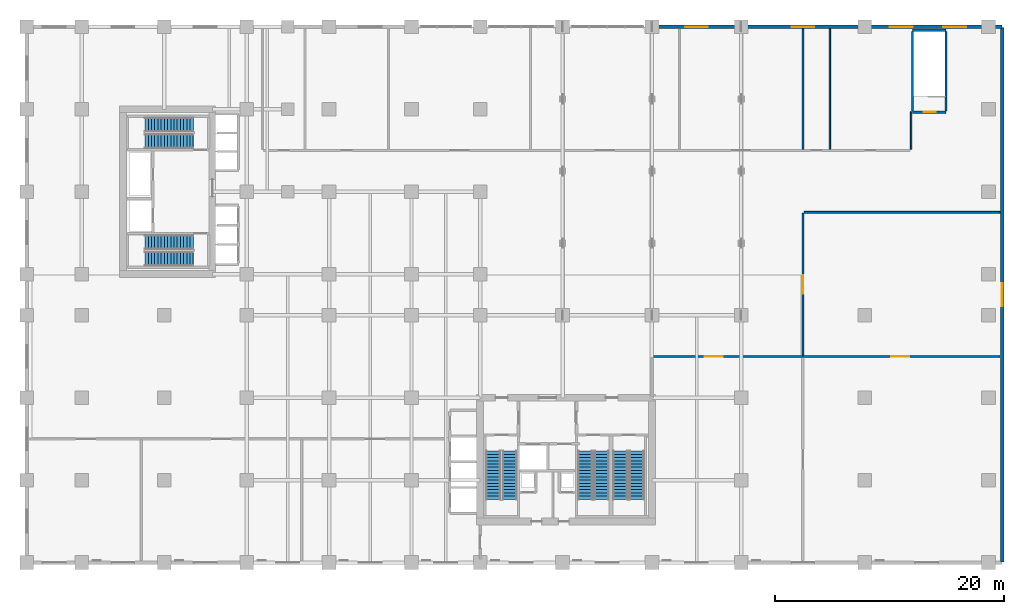
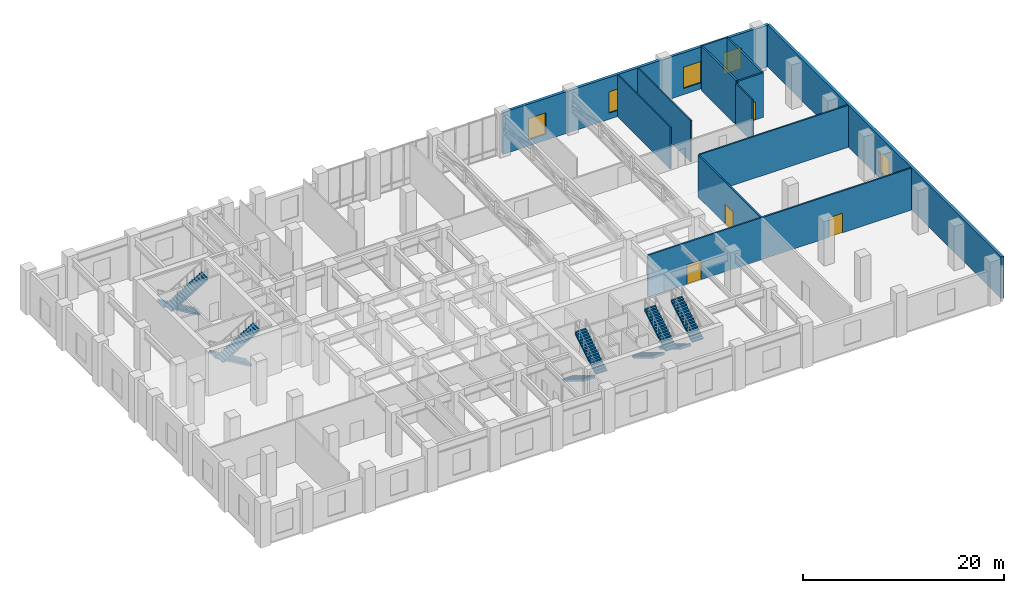
# One storey, part 14 of 19: 12 walls, 10 stair flights, 5 windows, 4 doors, 9 openings, 5 elements without a shape of their own.
"""IFC4 building model written with IfcOpenShell, lengths in metres."""

from ifc_helpers import new_model, si_unit, derived_unit, direction, frame, frame_2d, origin, place, context, subcontext, project, spatial, polyline, rectangle, outline, extrude, source, transform, mapped, material, layer, layer_set, type_object, type_shapes, element, fill, aggregate, save


model = new_model("IFC4")

# Units and contexts
model_context = context("Model", 3, precision=1e-05, world=origin(), true_north=direction((0.0, 1.0)))
body_context = subcontext(model_context, "Body", "Model", "MODEL_VIEW")
ifc_project = project(units=[si_unit("LENGTHUNIT", "METRE"), si_unit("AREAUNIT", "SQUARE_METRE"), si_unit("VOLUMEUNIT", "CUBIC_METRE"), si_unit("PLANEANGLEUNIT", "RADIAN"), si_unit("MASSUNIT", "GRAM", prefix="KILO"), si_unit("THERMODYNAMICTEMPERATUREUNIT", "KELVIN"), si_unit("POWERUNIT", "WATT"), derived_unit("THERMALTRANSMITTANCEUNIT", [(si_unit("POWERUNIT", "WATT"), 1), (si_unit("AREAUNIT", "SQUARE_METRE"), -1), (si_unit("THERMODYNAMICTEMPERATUREUNIT", "KELVIN"), -1)])], contexts=[model_context])

# Site, building, storey
site_placement = place(None, origin())
site = spatial("IfcSite", under=ifc_project, at=site_placement, CompositionType="ELEMENT")
building_placement = place(site_placement, origin())
building = spatial("IfcBuilding", under=site, at=building_placement, Name="Zahravan Archway Hotel and Residences", CompositionType="ELEMENT")
storey_placement = place(building_placement, frame((0.0, 0.0, 21.60009765625)))
storey = spatial("IfcBuildingStorey", under=building, at=storey_placement, Name="L04", CompositionType="ELEMENT", Elevation=21.60009765625)

# Wall, opening, window
ifc_material_1 = material(Name="Agra Buff Sandstone & Insulated Backup", Category="masonry")
ifc_layer_1 = layer(ifc_material_1, 0.320068359375, Name="Agra Buff Sandstone & Insulated Backup", Category="masonry")
ifc_layer_set_1 = layer_set([ifc_layer_1], Name="Agra Buff Sandstone & Insulated Backup")
wall_type_1 = type_object("IfcWallType", Name="EW-SAND-320", PredefinedType="SOLIDWALL", material=ifc_layer_set_1)
wall_1_placement = place(storey_placement, frame((80.39990234375, 0.050048828125, 0.0), z_axis=(0.0, 0.0, 1.0), x_axis=(0.0, 1.0, 0.0)))
wall_1 = element("IfcWall", 1, at=wall_1_placement, inside=storey, type_object=wall_type_1, Name="L04 Podium Sandstone E Wall", PredefinedType="SOLIDWALL", context=body_context, shape_type="SweptSolid", body=[
    extrude(rectangle(XDim=46.699951171875, YDim=0.320068359375, at=frame_2d((23.35009765625, 0.0))), origin(), (0.0, 0.0, 1.0), 5.099853515625),
])
opening_1_placement = place(wall_1_placement, frame((22.35009765625, 0.0, 0.75)))
opening_1 = element("IfcOpeningElement", 2, at=opening_1_placement, cuts=wall_1, Name="Opening W-01", PredefinedType="OPENING", context=body_context, shape_type="SweptSolid", body=[
    extrude(rectangle(XDim=2.0, YDim=2.60009765625, at=frame_2d((1.0, 1.300048828125))), frame((0.0, 0.169921875, 0.0), z_axis=(0.0, -1.0, 0.0), x_axis=(1.0, 0.0, 0.0)), (0.0, 0.0, 1.0), 0.340087890625),
])
ifc_material_2 = material(Name="Bronze-Anodized Thermal-Break Aluminium & Low-E Glass", Category="aluminium")
window_type = type_object("IfcWindowType", Name="WIN-ARC-2000", PartitioningType="DOUBLE_PANEL_VERTICAL", PredefinedType="WINDOW", material=ifc_material_2)
shared_shape_1 = source(origin(), body_context, "Body", "SweptSolid", [
    extrude(rectangle(XDim=2.0, YDim=2.60009765625, at=frame_2d((1.0, 1.300048828125))), frame((0.0, 0.030029296875, 0.0), z_axis=(0.0, -1.0, 0.0), x_axis=(1.0, 0.0, 0.0)), (0.0, 0.0, 1.0), 0.06005859375),
])
type_shapes(window_type, [shared_shape_1])
window_1_placement = place(opening_1_placement, origin())
window_1 = element("IfcWindow", 3, at=window_1_placement, inside=storey, type_object=window_type, Name="L04 Podium Mughal Arch Window 12", OverallHeight=2.60009765625, OverallWidth=2.0, PartitioningType="DOUBLE_PANEL_VERTICAL", PredefinedType="WINDOW", context=body_context, shape_type="MappedRepresentation", body=[
    mapped(shared_shape_1, transform((0.0, 0.0, 0.0), scale=1.0)),
])
fill(opening_1, window_1)

# Wall, openings, windows
wall_2_placement = place(storey_placement, frame((49.800048828125, 46.800048828125, 0.0), z_axis=(0.0, 0.0, 1.0), x_axis=(1.0, 0.0, 0.0)))
wall_2 = element("IfcWall", 4, at=wall_2_placement, inside=storey, type_object=wall_type_1, Name="L04 Podium Sandstone NE Wall", PredefinedType="SOLIDWALL", context=body_context, shape_type="SweptSolid", body=[
    extrude(rectangle(XDim=30.599853515625, YDim=0.320068359375, at=frame_2d((15.2998046875, 0.0))), origin(), (0.0, 0.0, 1.0), 5.099853515625),
])
opening_2_placement = place(wall_2_placement, frame((2.89990234375, 0.0, 0.75)))
opening_2 = element("IfcOpeningElement", 5, at=opening_2_placement, cuts=wall_2, Name="Opening W-01", PredefinedType="OPENING", context=body_context, shape_type="SweptSolid", body=[
    extrude(rectangle(XDim=2.0, YDim=2.60009765625, at=frame_2d((1.0, 1.300048828125))), frame((0.0, 0.169921875, 0.0), z_axis=(0.0, -1.0, 0.0), x_axis=(1.0, 0.0, 0.0)), (0.0, 0.0, 1.0), 0.340087890625),
])
opening_3_placement = place(wall_2_placement, frame((12.199951171875, 0.0, 0.75)))
opening_3 = element("IfcOpeningElement", 6, at=opening_3_placement, cuts=wall_2, Name="Opening W-01", PredefinedType="OPENING", context=body_context, shape_type="SweptSolid", body=[
    extrude(rectangle(XDim=2.0, YDim=2.60009765625, at=frame_2d((1.0, 1.300048828125))), frame((0.0, 0.169921875, 0.0), z_axis=(0.0, -1.0, 0.0), x_axis=(1.0, 0.0, 0.0)), (0.0, 0.0, 1.0), 0.340087890625),
])
opening_4_placement = place(wall_2_placement, frame((20.784912109375, 0.0, 0.75)))
opening_4 = element("IfcOpeningElement", 7, at=opening_4_placement, cuts=wall_2, Name="Opening W-01", PredefinedType="OPENING", context=body_context, shape_type="SweptSolid", body=[
    extrude(rectangle(XDim=2.0, YDim=2.60009765625, at=frame_2d((1.0, 1.300048828125))), frame((0.0, 0.169921875, 0.0), z_axis=(0.0, -1.0, 0.0), x_axis=(1.0, 0.0, 0.0)), (0.0, 0.0, 1.0), 0.340087890625),
])
opening_5_placement = place(wall_2_placement, frame((25.445068359375, 0.0, 0.75)))
opening_5 = element("IfcOpeningElement", 8, at=opening_5_placement, cuts=wall_2, Name="Opening W-01", PredefinedType="OPENING", context=body_context, shape_type="SweptSolid", body=[
    extrude(rectangle(XDim=2.0, YDim=2.60009765625, at=frame_2d((1.0, 1.300048828125))), frame((0.0, 0.169921875, 0.0), z_axis=(0.0, -1.0, 0.0), x_axis=(1.0, 0.0, 0.0)), (0.0, 0.0, 1.0), 0.340087890625),
])
window_2_placement = place(opening_2_placement, origin())
window_2 = element("IfcWindow", 9, at=window_2_placement, inside=storey, type_object=window_type, Name="L04 Podium Mughal Arch Window 17", OverallHeight=2.60009765625, OverallWidth=2.0, PartitioningType="DOUBLE_PANEL_VERTICAL", PredefinedType="WINDOW", context=body_context, shape_type="MappedRepresentation", body=[
    mapped(shared_shape_1, transform((0.0, 0.0, 0.0), scale=1.0)),
])
fill(opening_2, window_2)
window_3_placement = place(opening_3_placement, origin())
window_3 = element("IfcWindow", 10, at=window_3_placement, inside=storey, type_object=window_type, Name="L04 Podium Mughal Arch Window 18", OverallHeight=2.60009765625, OverallWidth=2.0, PartitioningType="DOUBLE_PANEL_VERTICAL", PredefinedType="WINDOW", context=body_context, shape_type="MappedRepresentation", body=[
    mapped(shared_shape_1, transform((0.0, 0.0, 0.0), scale=1.0)),
])
fill(opening_3, window_3)
window_4_placement = place(opening_4_placement, origin())
window_4 = element("IfcWindow", 11, at=window_4_placement, inside=storey, type_object=window_type, Name="L04 Podium Mughal Arch Window 19", OverallHeight=2.60009765625, OverallWidth=2.0, PartitioningType="DOUBLE_PANEL_VERTICAL", PredefinedType="WINDOW", context=body_context, shape_type="MappedRepresentation", body=[
    mapped(shared_shape_1, transform((0.0, 0.0, 0.0), scale=1.0)),
])
fill(opening_4, window_4)
window_5_placement = place(opening_5_placement, origin())
window_5 = element("IfcWindow", 12, at=window_5_placement, inside=storey, type_object=window_type, Name="L04 Podium Mughal Arch Window 20", OverallHeight=2.60009765625, OverallWidth=2.0, PartitioningType="DOUBLE_PANEL_VERTICAL", PredefinedType="WINDOW", context=body_context, shape_type="MappedRepresentation", body=[
    mapped(shared_shape_1, transform((0.0, 0.0, 0.0), scale=1.0)),
])
fill(opening_5, window_5)

# Wall, openings, doors
ifc_material_3 = material(Name="Fire-Rated Gypsum & Concrete Block", Category="concrete")
ifc_layer_2 = layer(ifc_material_3, 0.179931640625, Name="Fire-Rated Gypsum & Concrete Block", Category="concrete")
ifc_layer_set_2 = layer_set([ifc_layer_2], Name="Fire-Rated Gypsum & Concrete Block")
wall_type_2 = type_object("IfcWallType", Name="PW-CORR-180", PredefinedType="PARTITIONING", material=ifc_layer_set_2)
wall_3_placement = place(storey_placement, frame((49.889892578125, 18.0, 0.0), z_axis=(0.0, 0.0, 1.0), x_axis=(1.0, 0.0, 0.0)))
wall_3 = element("IfcWall", 13, at=wall_3_placement, inside=storey, type_object=wall_type_2, Name="L04 Partition L04-GSE", PredefinedType="PARTITIONING", context=body_context, shape_type="SweptSolid", body=[
    extrude(rectangle(XDim=30.342041015625, YDim=0.179931640625, at=frame_2d((15.1708984375, 0.0))), origin(), (0.0, 0.0, 1.0), 5.099853515625),
])
opening_6_placement = place(wall_3_placement, frame((4.510009765625, 0.0, 0.0)))
opening_6 = element("IfcOpeningElement", 14, at=opening_6_placement, cuts=wall_3, Name="Opening D-P2", PredefinedType="OPENING", context=body_context, shape_type="SweptSolid", body=[
    extrude(rectangle(XDim=1.60009765625, YDim=2.39990234375, at=frame_2d((0.800048828125, 1.199951171875))), frame((0.0, 0.10009765625, 0.0), z_axis=(0.0, -1.0, 0.0), x_axis=(1.0, 0.0, 0.0)), (0.0, 0.0, 1.0), 0.199951171875),
])
opening_7_placement = place(wall_3_placement, frame((20.81005859375, 0.0, 0.0)))
opening_7 = element("IfcOpeningElement", 15, at=opening_7_placement, cuts=wall_3, Name="Opening D-P2", PredefinedType="OPENING", context=body_context, shape_type="SweptSolid", body=[
    extrude(rectangle(XDim=1.60009765625, YDim=2.39990234375, at=frame_2d((0.800048828125, 1.199951171875))), frame((0.0, 0.10009765625, 0.0), z_axis=(0.0, -1.0, 0.0), x_axis=(1.0, 0.0, 0.0)), (0.0, 0.0, 1.0), 0.199951171875),
])
ifc_material_4 = material(Name="Bronze-Anodized Glazed Aluminium", Category="aluminium")
door_type_1 = type_object("IfcDoorType", Name="ID-PUBLIC-1600", OperationType="DOUBLE_DOOR_SINGLE_SWING", PredefinedType="DOOR", material=ifc_material_4)
shared_shape_2 = source(origin(), body_context, "Body", "SweptSolid", [
    extrude(rectangle(XDim=1.60009765625, YDim=2.39990234375, at=frame_2d((0.800048828125, 1.199951171875))), frame((0.0, 0.02490234375, 0.0), z_axis=(0.0, -1.0, 0.0), x_axis=(1.0, 0.0, 0.0)), (0.0, 0.0, 1.0), 0.050048828125),
])
type_shapes(door_type_1, [shared_shape_2])
door_1_placement = place(opening_6_placement, origin())
door_1 = element("IfcDoor", 16, at=door_1_placement, inside=storey, type_object=door_type_1, Name="L04 Ballroom Pre-Function Lobby Door", OperationType="DOUBLE_DOOR_SINGLE_SWING", OverallHeight=2.39990234375, OverallWidth=1.60009765625, PredefinedType="DOOR", context=body_context, shape_type="MappedRepresentation", body=[
    mapped(shared_shape_2, transform((0.0, 0.0, 0.0), scale=1.0)),
])
fill(opening_6, door_1)
door_2_placement = place(opening_7_placement, origin())
door_2 = element("IfcDoor", 17, at=door_2_placement, inside=storey, type_object=door_type_1, Name="L04 Pillarless Grand Ballroom Door", OperationType="DOUBLE_DOOR_SINGLE_SWING", OverallHeight=2.39990234375, OverallWidth=1.60009765625, PredefinedType="DOOR", context=body_context, shape_type="MappedRepresentation", body=[
    mapped(shared_shape_2, transform((0.0, 0.0, 0.0), scale=1.0)),
])
fill(opening_7, door_2)

# Wall, opening, door
ifc_material_5 = material(Name="Acoustic Stud Partition")
ifc_layer_3 = layer(ifc_material_5, 0.169921875, Name="Acoustic Stud Partition")
ifc_layer_set_3 = layer_set([ifc_layer_3], Name="Acoustic Stud Partition")
wall_type_3 = type_object("IfcWallType", Name="PW-UNIT-170", PredefinedType="PARTITIONING", material=ifc_layer_set_3)
wall_4_placement = place(storey_placement, frame((63.0, 18.090087890625, 0.0), z_axis=(0.0, 0.0, 1.0), x_axis=(0.0, 1.0, 0.0)))
wall_4 = element("IfcWall", 18, at=wall_4_placement, inside=storey, type_object=wall_type_3, Name="L04 Partition L04-MJW", PredefinedType="PARTITIONING", context=body_context, shape_type="SweptSolid", body=[
    extrude(rectangle(XDim=12.419921875, YDim=0.169921875, at=frame_2d((6.2099609375, 0.0))), origin(), (0.0, 0.0, 1.0), 5.099853515625),
])
opening_8_placement = place(wall_4_placement, frame((5.409912109375, 0.0, 0.0)))
opening_8 = element("IfcOpeningElement", 19, at=opening_8_placement, cuts=wall_4, Name="Opening D-P2", PredefinedType="OPENING", context=body_context, shape_type="SweptSolid", body=[
    extrude(rectangle(XDim=1.60009765625, YDim=2.39990234375, at=frame_2d((0.800048828125, 1.199951171875))), frame((0.0, 0.094970703125, 0.0), z_axis=(0.0, -1.0, 0.0), x_axis=(1.0, 0.0, 0.0)), (0.0, 0.0, 1.0), 0.18994140625),
])
door_3_placement = place(opening_8_placement, origin())
door_3 = element("IfcDoor", 20, at=door_3_placement, inside=storey, type_object=door_type_1, Name="L04 Sanctuary Majlis Salon Door", OperationType="DOUBLE_DOOR_SINGLE_SWING", OverallHeight=2.39990234375, OverallWidth=1.60009765625, PredefinedType="DOOR", context=body_context, shape_type="MappedRepresentation", body=[
    mapped(shared_shape_2, transform((0.0, 0.0, 0.0), scale=1.0)),
])
fill(opening_8, door_3)

# Walls
wall_5_placement = place(storey_placement, frame((63.090087890625, 30.60009765625, 0.0), z_axis=(0.0, 0.0, 1.0), x_axis=(1.0, 0.0, 0.0)))
element("IfcWall", 21, at=wall_5_placement, inside=storey, type_object=wall_type_3, Name="L04 Partition L04-MJN", PredefinedType="PARTITIONING", context=body_context, shape_type="SweptSolid", body=[
    extrude(rectangle(XDim=17.141845703125, YDim=0.169921875, at=frame_2d((8.57080078125, 0.0))), origin(), (0.0, 0.0, 1.0), 5.099853515625),
])
ifc_material_6 = material(Name="Moisture-Resistant Blockwork", Category="masonry")
ifc_layer_4 = layer(ifc_material_6, 0.139892578125, Name="Moisture-Resistant Blockwork", Category="masonry")
ifc_layer_set_4 = layer_set([ifc_layer_4], Name="Moisture-Resistant Blockwork")
wall_type_4 = type_object("IfcWallType", Name="PW-WET-140", PredefinedType="PARTITIONING", material=ifc_layer_set_4)
wall_6_placement = place(storey_placement, frame((72.449951171875, 36.090087890625, 0.0), z_axis=(0.0, 0.0, 1.0), x_axis=(0.0, 1.0, 0.0)))
element("IfcWall", 22, at=wall_6_placement, inside=storey, type_object=wall_type_4, Name="L04 Partition L04-GNE", PredefinedType="PARTITIONING", context=body_context, shape_type="SweptSolid", body=[
    extrude(rectangle(XDim=3.289794921875, YDim=0.139892578125, at=frame_2d((1.64501953125, 0.0))), origin(), (0.0, 0.0, 1.0), 5.099853515625),
])
for number, where, z_axis, x_axis, name in (
    (23, (63.0, 36.090087890625, 0.0), (0.0, 0.0, 1.0), (0.0, 1.0, 0.0), "L04 Partition L04-NV5"),
    (24, (65.35009765625, 36.090087890625, 0.0), (0.0, 0.0, 1.0), (0.0, 1.0, 0.0), "L04 Partition L04-NV6"),
):
    element("IfcWall", number, at=place(storey_placement, frame(where, z_axis=z_axis, x_axis=x_axis)), inside=storey, type_object=wall_type_4, Name=name, PredefinedType="PARTITIONING", context=body_context, shape_type="SweptSolid", body=[
        extrude(rectangle(XDim=10.5419921875, YDim=0.139892578125, at=frame_2d((5.27099609375, 0.0))), origin(), (0.0, 0.0, 1.0), 5.099853515625),
    ])
ifc_material_7 = material(Name="Concrete C50/60", Category="concrete")
ifc_layer_5 = layer(ifc_material_7, 0.199951171875, Name="Concrete C50/60", Category="concrete")
ifc_layer_set_5 = layer_set([ifc_layer_5], Name="Concrete C50/60")
wall_type_5 = type_object("IfcWallType", Name="SW-STAIR-200", PredefinedType="SHEAR", material=ifc_layer_set_5)
for number, where, z_axis, x_axis, name in (
    (25, (72.56005859375, 39.469970703125, 0.0), (0.0, 0.0, 1.0), (0.0, 1.0, 0.0), "L04 Stairwell RC Wall SP1-W"),
    (26, (75.5, 39.469970703125, 0.0), (0.0, 0.0, 1.0), (0.0, 1.0, 0.0), "L04 Stairwell RC Wall SP1-E"),
):
    element("IfcWall", number, at=place(storey_placement, frame(where, z_axis=z_axis, x_axis=x_axis)), inside=storey, type_object=wall_type_5, Name=name, PredefinedType="SHEAR", context=body_context, shape_type="SweptSolid", body=[
        extrude(rectangle(XDim=6.909912109375, YDim=0.199951171875, at=frame_2d((3.455078125, 0.0))), origin(), (0.0, 0.0, 1.0), 5.39990234375),
    ])
wall_7_placement = place(storey_placement, frame((72.56005859375, 46.5, 0.0), z_axis=(0.0, 0.0, 1.0), x_axis=(1.0, 0.0, 0.0)))
element("IfcWall", 27, at=wall_7_placement, inside=storey, type_object=wall_type_5, Name="L04 Stairwell RC Wall SP1-N", PredefinedType="SHEAR", context=body_context, shape_type="SweptSolid", body=[
    extrude(rectangle(XDim=2.93994140625, YDim=0.199951171875, at=frame_2d((1.469970703125, 0.0))), origin(), (0.0, 0.0, 1.0), 5.39990234375),
])

# Wall, opening, door
wall_8_placement = place(storey_placement, frame((72.56005859375, 39.35009765625, 0.0), z_axis=(0.0, 0.0, 1.0), x_axis=(1.0, 0.0, 0.0)))
wall_8 = element("IfcWall", 28, at=wall_8_placement, inside=storey, type_object=wall_type_5, Name="L04 Stairwell RC Wall SP1-S", PredefinedType="SHEAR", context=body_context, shape_type="SweptSolid", body=[
    extrude(rectangle(XDim=2.93994140625, YDim=0.199951171875, at=frame_2d((1.469970703125, 0.0))), origin(), (0.0, 0.0, 1.0), 5.39990234375),
])
opening_9_placement = place(wall_8_placement, frame((0.985107421875, 0.0, 0.0)))
opening_9 = element("IfcOpeningElement", 29, at=opening_9_placement, cuts=wall_8, Name="Opening FD-S1", PredefinedType="OPENING", context=body_context, shape_type="SweptSolid", body=[
    extrude(rectangle(XDim=1.050048828125, YDim=2.199951171875, at=frame_2d((0.52490234375, 1.10009765625))), frame((0.0, 0.10986328125, 0.0), z_axis=(0.0, -1.0, 0.0), x_axis=(1.0, 0.0, 0.0)), (0.0, 0.0, 1.0), 0.219970703125),
])
ifc_material_8 = material(Name="Fire-Rated Painted Steel", Category="steel")
door_type_2 = type_object("IfcDoorType", Name="FD-STAIR-1100", OperationType="NOTDEFINED", PredefinedType="DOOR", material=ifc_material_8)
shared_shape_3 = source(origin(), body_context, "Body", "SweptSolid", [
    extrude(rectangle(XDim=1.050048828125, YDim=2.199951171875, at=frame_2d((0.52490234375, 1.10009765625))), frame((0.0, 0.02490234375, 0.0), z_axis=(0.0, -1.0, 0.0), x_axis=(1.0, 0.0, 0.0)), (0.0, 0.0, 1.0), 0.050048828125),
])
type_shapes(door_type_2, [shared_shape_3])
door_4_placement = place(opening_9_placement, origin())
door_4 = element("IfcDoor", 30, at=door_4_placement, inside=storey, type_object=door_type_2, Name="L04 Stair ST-P1 Door", OperationType="SINGLE_SWING_LEFT", OverallHeight=2.199951171875, OverallWidth=1.050048828125, PredefinedType="DOOR", context=body_context, shape_type="MappedRepresentation", body=[
    mapped(shared_shape_3, transform((0.0, 0.0, 0.0), scale=1.0)),
])
fill(opening_9, door_4)

# Stair, stair flights
stair_type = type_object("IfcStairType", Name="STR-CORE-1300", PredefinedType="HALF_TURN_STAIR", material=ifc_material_7)
stair_1_placement = place(storey_placement, origin())
stair_1 = element("IfcStair", 31, at=stair_1_placement, inside=storey, type_object=stair_type, Name="L04 Core A Exit Stair 1", PredefinedType="HALF_TURN_STAIR")
ifc_layer_6 = layer(ifc_material_7, 0.199951171875, Name="Concrete C50/60", Category="concrete")
ifc_layer_set_6 = layer_set([ifc_layer_6], Name="Concrete C50/60")
stair_flight_type = type_object("IfcStairFlightType", Name="SFL-CORE-1300", PredefinedType="STRAIGHT", material=ifc_layer_set_6)
shared_shape_4 = source(origin(), body_context, "Body", "SweptSolid", [
    extrude(outline(polyline([(-0.01611328125, 0.0), (-0.01611328125, 0.168701171875), (0.280029296875, 0.168701171875), (0.280029296875, 0.33740234375), (0.56005859375, 0.33740234375), (0.56005859375, 0.50634765625), (0.840087890625, 0.50634765625), (0.840087890625, 0.675048828125), (1.1201171875, 0.675048828125), (1.1201171875, 0.84375), (1.39990234375, 0.84375), (1.39990234375, 1.012451171875), (1.679931640625, 1.012451171875), (1.679931640625, 1.18115234375), (1.9599609375, 1.18115234375), (1.9599609375, 1.35009765625), (2.239990234375, 1.35009765625), (2.239990234375, 1.518798828125), (2.52001953125, 1.518798828125), (2.52001953125, 1.6875), (2.800048828125, 1.6875), (2.800048828125, 1.856201171875), (3.080078125, 1.856201171875), (3.080078125, 2.02490234375), (3.360107421875, 2.02490234375), (3.360107421875, 2.19384765625), (3.639892578125, 2.19384765625), (3.639892578125, 2.362548828125), (3.919921875, 2.362548828125), (3.919921875, 2.53125), (4.199951171875, 2.53125), (4.199951171875, 2.699951171875), (4.216064453125, 2.699951171875), (4.216064453125, 2.356201171875), (0.29052734375, 0.0), (-0.01611328125, 0.0)])), frame((0.0, 0.64990234375, 0.0), z_axis=(0.0, -1.0, 0.0), x_axis=(1.0, 0.0, 0.0)), (0.0, 0.0, 1.0), 1.300048828125),
])
stair_flight_1_placement = place(storey_placement, frame((35.949951171875, 9.72998046875, 0.0), z_axis=(0.0, 0.0, 1.0), x_axis=(0.0, -1.0, 0.0)))
stair_flight_1 = element("IfcStairFlight", 32, at=stair_flight_1_placement, type_object=stair_flight_type, Name="ST-A1 flight 1", NumberOfRisers=16, NumberOfTreads=15, PredefinedType="STRAIGHT", RiserHeight=0.16875, TreadLength=0.28, context=body_context, shape_type="MappedRepresentation", body=[
    mapped(shared_shape_4, transform((0.0, 0.0, 0.0), scale=1.0)),
])
stair_flight_2_placement = place(storey_placement, frame((37.389892578125, 5.530029296875, 2.699951171875), z_axis=(0.0, 0.0, 1.0), x_axis=(0.0, 1.0, 0.0)))
stair_flight_2 = element("IfcStairFlight", 33, at=stair_flight_2_placement, type_object=stair_flight_type, Name="ST-A1 flight 2", NumberOfRisers=16, NumberOfTreads=15, PredefinedType="STRAIGHT", RiserHeight=0.16875, TreadLength=0.28, context=body_context, shape_type="MappedRepresentation", body=[
    mapped(shared_shape_4, transform((0.0, 0.0, 0.0), scale=1.0)),
])
aggregate(stair_1, [stair_flight_1, stair_flight_2])

stair_2_placement = place(storey_placement, origin())
stair_2 = element("IfcStair", 34, at=stair_2_placement, inside=storey, type_object=stair_type, Name="L04 Core A Exit Stair 2", PredefinedType="HALF_TURN_STAIR")
stair_flight_3_placement = place(storey_placement, frame((43.969970703125, 9.72998046875, 0.0), z_axis=(0.0, 0.0, 1.0), x_axis=(0.0, -1.0, 0.0)))
stair_flight_3 = element("IfcStairFlight", 35, at=stair_flight_3_placement, type_object=stair_flight_type, Name="ST-A2 flight 1", NumberOfRisers=16, NumberOfTreads=15, PredefinedType="STRAIGHT", RiserHeight=0.16875, TreadLength=0.28, context=body_context, shape_type="MappedRepresentation", body=[
    mapped(shared_shape_4, transform((0.0, 0.0, 0.0), scale=1.0)),
])
stair_flight_4_placement = place(storey_placement, frame((45.409912109375, 5.530029296875, 2.699951171875), z_axis=(0.0, 0.0, 1.0), x_axis=(0.0, 1.0, 0.0)))
stair_flight_4 = element("IfcStairFlight", 36, at=stair_flight_4_placement, type_object=stair_flight_type, Name="ST-A2 flight 2", NumberOfRisers=16, NumberOfTreads=15, PredefinedType="STRAIGHT", RiserHeight=0.16875, TreadLength=0.28, context=body_context, shape_type="MappedRepresentation", body=[
    mapped(shared_shape_4, transform((0.0, 0.0, 0.0), scale=1.0)),
])
aggregate(stair_2, [stair_flight_3, stair_flight_4])

stair_3_placement = place(storey_placement, origin())
stair_3 = element("IfcStair", 37, at=stair_3_placement, inside=storey, type_object=stair_type, Name="L04 Core A Exit Stair 3", PredefinedType="HALF_TURN_STAIR")
stair_flight_5_placement = place(storey_placement, frame((47.050048828125, 9.72998046875, 0.0), z_axis=(0.0, 0.0, 1.0), x_axis=(0.0, -1.0, 0.0)))
stair_flight_5 = element("IfcStairFlight", 38, at=stair_flight_5_placement, type_object=stair_flight_type, Name="ST-A3 flight 1", NumberOfRisers=16, NumberOfTreads=15, PredefinedType="STRAIGHT", RiserHeight=0.16875, TreadLength=0.28, context=body_context, shape_type="MappedRepresentation", body=[
    mapped(shared_shape_4, transform((0.0, 0.0, 0.0), scale=1.0)),
])
stair_flight_6_placement = place(storey_placement, frame((48.489990234375, 5.530029296875, 2.699951171875), z_axis=(0.0, 0.0, 1.0), x_axis=(0.0, 1.0, 0.0)))
stair_flight_6 = element("IfcStairFlight", 39, at=stair_flight_6_placement, type_object=stair_flight_type, Name="ST-A3 flight 2", NumberOfRisers=16, NumberOfTreads=15, PredefinedType="STRAIGHT", RiserHeight=0.16875, TreadLength=0.28, context=body_context, shape_type="MappedRepresentation", body=[
    mapped(shared_shape_4, transform((0.0, 0.0, 0.0), scale=1.0)),
])
aggregate(stair_3, [stair_flight_5, stair_flight_6])

stair_4_placement = place(storey_placement, origin())
stair_4 = element("IfcStair", 40, at=stair_4_placement, inside=storey, type_object=stair_type, Name="L04 Core B Exit Stair 1", PredefinedType="HALF_TURN_STAIR")
stair_flight_7_placement = place(storey_placement, frame((9.72998046875, 27.989990234375, 0.0), z_axis=(0.0, 0.0, 1.0), x_axis=(-1.0, 0.0, 0.0)))
stair_flight_7 = element("IfcStairFlight", 41, at=stair_flight_7_placement, type_object=stair_flight_type, Name="ST-B1 flight 1", NumberOfRisers=16, NumberOfTreads=15, PredefinedType="STRAIGHT", RiserHeight=0.16875, TreadLength=0.28, context=body_context, shape_type="MappedRepresentation", body=[
    mapped(shared_shape_4, transform((0.0, 0.0, 0.0), scale=1.0)),
])
stair_flight_8_placement = place(storey_placement, frame((5.530029296875, 26.550048828125, 2.699951171875), z_axis=(0.0, 0.0, 1.0), x_axis=(1.0, 0.0, 0.0)))
stair_flight_8 = element("IfcStairFlight", 42, at=stair_flight_8_placement, type_object=stair_flight_type, Name="ST-B1 flight 2", NumberOfRisers=16, NumberOfTreads=15, PredefinedType="STRAIGHT", RiserHeight=0.16875, TreadLength=0.28, context=body_context, shape_type="MappedRepresentation", body=[
    mapped(shared_shape_4, transform((0.0, 0.0, 0.0), scale=1.0)),
])
aggregate(stair_4, [stair_flight_7, stair_flight_8])

stair_5_placement = place(storey_placement, origin())
stair_5 = element("IfcStair", 43, at=stair_5_placement, inside=storey, type_object=stair_type, Name="L04 Core B Exit Stair 2", PredefinedType="HALF_TURN_STAIR")
stair_flight_9_placement = place(storey_placement, frame((9.72998046875, 38.25, 0.0), z_axis=(0.0, 0.0, 1.0), x_axis=(-1.0, 0.0, 0.0)))
stair_flight_9 = element("IfcStairFlight", 44, at=stair_flight_9_placement, type_object=stair_flight_type, Name="ST-B2 flight 1", NumberOfRisers=16, NumberOfTreads=15, PredefinedType="STRAIGHT", RiserHeight=0.16875, TreadLength=0.28, context=body_context, shape_type="MappedRepresentation", body=[
    mapped(shared_shape_4, transform((0.0, 0.0, 0.0), scale=1.0)),
])
stair_flight_10_placement = place(storey_placement, frame((5.530029296875, 36.81005859375, 2.699951171875), z_axis=(0.0, 0.0, 1.0), x_axis=(1.0, 0.0, 0.0)))
stair_flight_10 = element("IfcStairFlight", 45, at=stair_flight_10_placement, type_object=stair_flight_type, Name="ST-B2 flight 2", NumberOfRisers=16, NumberOfTreads=15, PredefinedType="STRAIGHT", RiserHeight=0.16875, TreadLength=0.28, context=body_context, shape_type="MappedRepresentation", body=[
    mapped(shared_shape_4, transform((0.0, 0.0, 0.0), scale=1.0)),
])
aggregate(stair_5, [stair_flight_9, stair_flight_10])

save(model, "model.ifc")
